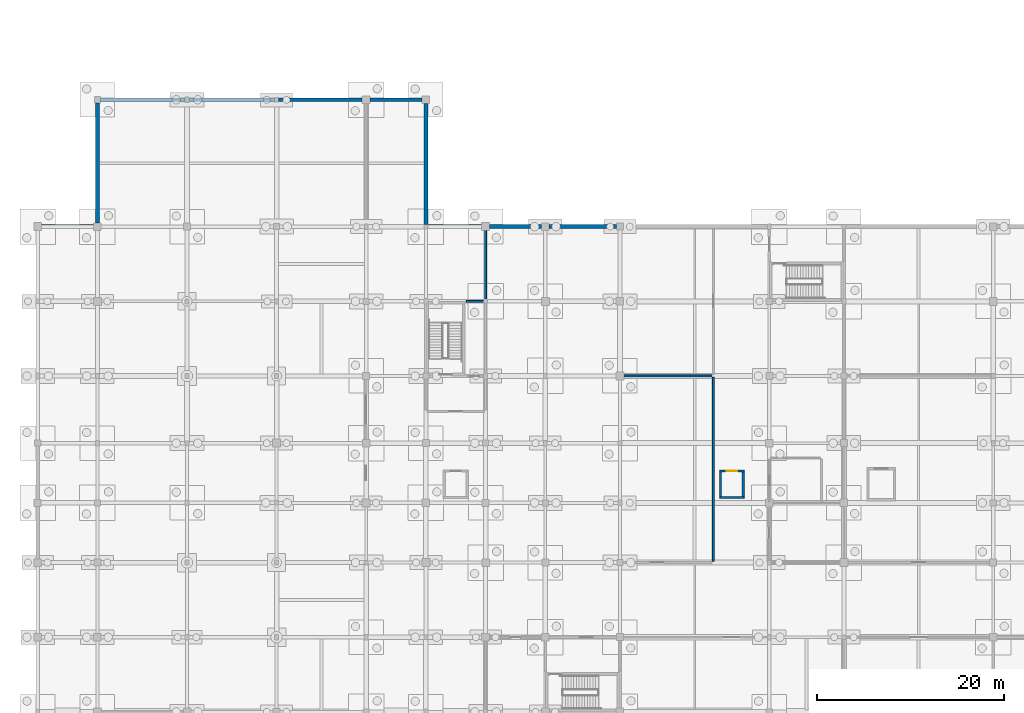
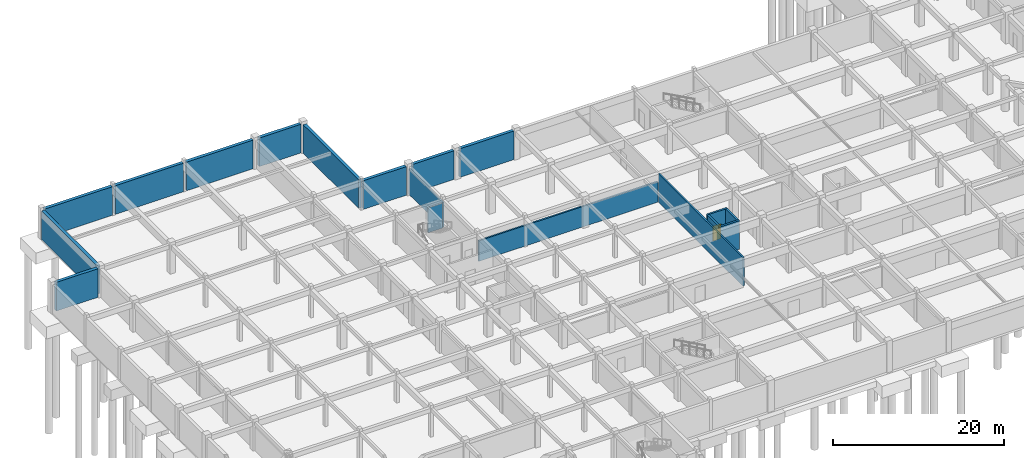
# One storey, part 21 of 28: 18 walls, 1 door, 1 opening.
"""IFC4 building model written with IfcOpenShell, lengths in metres."""

from ifc_helpers import new_model, si_unit, direction, frame, frame_2d, origin, place, context, subcontext, project, spatial, rectangle, extrude, material, layer, layer_set, type_object, element, fill, save


model = new_model("IFC4")

# Units and contexts
model_context = context("Model", 3, precision=1e-05, world=origin(), true_north=direction((0.0, 1.0)))
body_context = subcontext(model_context, "Body", "Model", "MODEL_VIEW")
ifc_project = project(units=[si_unit("LENGTHUNIT", "METRE"), si_unit("AREAUNIT", "SQUARE_METRE"), si_unit("VOLUMEUNIT", "CUBIC_METRE"), si_unit("PLANEANGLEUNIT", "RADIAN"), si_unit("MASSUNIT", "GRAM", prefix="KILO")], contexts=[model_context])

# Site, building, storey
site_placement = place(None, origin())
site = spatial("IfcSite", under=ifc_project, at=site_placement, CompositionType="ELEMENT")
building_placement = place(site_placement, origin())
building = spatial("IfcBuilding", under=site, at=building_placement, Name="Vellmiral Cinema and Media Centre", CompositionType="ELEMENT")
storey_placement = place(building_placement, frame((0.0, 0.0, -4.5)))
storey = spatial("IfcBuildingStorey", under=building, at=storey_placement, Name="B1", CompositionType="ELEMENT", Elevation=-4.5)

# Walls
ifc_material_1 = material(Name="Concrete C30/37", Category="concrete")
ifc_layer_1 = layer(ifc_material_1, 0.419921875, Name="Concrete C30/37")
ifc_layer_set_1 = layer_set([ifc_layer_1], Name="Concrete C30/37")
wall_type_1 = type_object("IfcWallType", Name="WL-B1-RET-420", PredefinedType="SOLIDWALL", material=ifc_layer_set_1)
wall_1_placement = place(storey_placement, frame((62.02490234375, 95.199951171875, 0.0), z_axis=(0.0, 0.0, 1.0), x_axis=(-1.0, 0.0, 0.0)))
element("IfcWall", 1, at=wall_1_placement, inside=storey, type_object=wall_type_1, Name="Basement Retaining Wall B1-059", PredefinedType="SOLIDWALL", context=body_context, shape_type="SweptSolid", body=[
    extrude(rectangle(XDim=7.224853515625, YDim=0.419921875, at=frame_2d((3.6123046875, 0.0))), origin(), (0.0, 0.0, 1.0), 4.080078125),
])
wall_2_placement = place(storey_placement, frame((54.0, 95.199951171875, 0.0), z_axis=(0.0, 0.0, 1.0), x_axis=(-1.0, 0.0, 0.0)))
element("IfcWall", 2, at=wall_2_placement, inside=storey, type_object=wall_type_1, Name="Basement Retaining Wall B1-060", PredefinedType="SOLIDWALL", context=body_context, shape_type="SweptSolid", body=[
    extrude(rectangle(XDim=5.574951171875, YDim=0.419921875, at=frame_2d((2.78759765625, 0.0))), origin(), (0.0, 0.0, 1.0), 4.080078125),
])
wall_3_placement = place(storey_placement, frame((47.574951171875, 95.199951171875, 0.0), z_axis=(0.0, 0.0, 1.0), x_axis=(-1.0, 0.0, 0.0)))
element("IfcWall", 3, at=wall_3_placement, inside=storey, type_object=wall_type_1, Name="Basement Retaining Wall B1-061", PredefinedType="SOLIDWALL", context=body_context, shape_type="SweptSolid", body=[
    extrude(rectangle(XDim=5.77490234375, YDim=0.419921875, at=frame_2d((2.887451171875, 0.0))), origin(), (0.0, 0.0, 1.0), 4.080078125),
])
wall_4_placement = place(storey_placement, frame((41.60009765625, 95.449951171875, 0.0), z_axis=(0.0, 0.0, 1.0), x_axis=(0.0, 1.0, 0.0)))
element("IfcWall", 4, at=wall_4_placement, inside=storey, type_object=wall_type_1, Name="Basement Retaining Wall B1-062", PredefinedType="SOLIDWALL", context=body_context, shape_type="SweptSolid", body=[
    extrude(rectangle(XDim=12.949951171875, YDim=0.419921875, at=frame_2d((6.47509765625, 0.0))), origin(), (0.0, 0.0, 1.0), 4.080078125),
])
wall_5_placement = place(storey_placement, frame((41.199951171875, 108.800048828125, 0.0), z_axis=(0.0, 0.0, 1.0), x_axis=(-1.0, 0.0, 0.0)))
element("IfcWall", 5, at=wall_5_placement, inside=storey, type_object=wall_type_1, Name="Basement Retaining Wall B1-063", PredefinedType="SOLIDWALL", context=body_context, shape_type="SweptSolid", body=[
    extrude(rectangle(XDim=5.574951171875, YDim=0.419921875, at=frame_2d((2.78759765625, 0.0))), origin(), (0.0, 0.0, 1.0), 4.080078125),
])
wall_6_placement = place(storey_placement, frame((34.77490234375, 108.800048828125, 0.0), z_axis=(0.0, 0.0, 1.0), x_axis=(-1.0, 0.0, 0.0)))
element("IfcWall", 6, at=wall_6_placement, inside=storey, type_object=wall_type_1, Name="Basement Retaining Wall B1-064", PredefinedType="SOLIDWALL", context=body_context, shape_type="SweptSolid", body=[
    extrude(rectangle(XDim=8.974853515625, YDim=0.419921875, at=frame_2d((4.4873046875, 0.0))), origin(), (0.0, 0.0, 1.0), 4.080078125),
])
wall_7_placement = place(storey_placement, frame((25.39990234375, 108.800048828125, 0.0), z_axis=(0.0, 0.0, 1.0), x_axis=(-1.0, 0.0, 0.0)))
element("IfcWall", 7, at=wall_7_placement, inside=storey, type_object=wall_type_1, Name="Basement Retaining Wall B1-065", PredefinedType="SOLIDWALL", context=body_context, shape_type="SweptSolid", body=[
    extrude(rectangle(XDim=9.199951171875, YDim=0.419921875, at=frame_2d((4.60009765625, 0.0))), origin(), (0.0, 0.0, 1.0), 4.080078125),
])
wall_8_placement = place(storey_placement, frame((15.800048828125, 108.800048828125, 0.0), z_axis=(0.0, 0.0, 1.0), x_axis=(-1.0, 0.0, 0.0)))
element("IfcWall", 8, at=wall_8_placement, inside=storey, type_object=wall_type_1, Name="Basement Retaining Wall B1-066", PredefinedType="SOLIDWALL", context=body_context, shape_type="SweptSolid", body=[
    extrude(rectangle(XDim=9.074951171875, YDim=0.419921875, at=frame_2d((4.53759765625, 0.0))), origin(), (0.0, 0.0, 1.0), 4.080078125),
])
wall_9_placement = place(storey_placement, frame((6.39990234375, 108.47509765625, 0.0), z_axis=(0.0, 0.0, 1.0), x_axis=(0.0, -1.0, 0.0)))
element("IfcWall", 9, at=wall_9_placement, inside=storey, type_object=wall_type_1, Name="Basement Retaining Wall B1-067", PredefinedType="SOLIDWALL", context=body_context, shape_type="SweptSolid", body=[
    extrude(rectangle(XDim=12.875, YDim=0.419921875, at=frame_2d((6.4375, 0.0))), origin(), (0.0, 0.0, 1.0), 4.080078125),
])
wall_10_placement = place(storey_placement, frame((6.0, 95.199951171875, 0.0), z_axis=(0.0, 0.0, 1.0), x_axis=(-1.0, 0.0, 0.0)))
element("IfcWall", 10, at=wall_10_placement, inside=storey, type_object=wall_type_1, Name="Basement Retaining Wall B1-068", PredefinedType="SOLIDWALL", context=body_context, shape_type="SweptSolid", body=[
    extrude(rectangle(XDim=5.574951171875, YDim=0.419921875, at=frame_2d((2.78759765625, 0.0))), origin(), (0.0, 0.0, 1.0), 4.080078125),
])
ifc_material_2 = material(Name="Concrete C40/50", Category="concrete")
ifc_layer_2 = layer(ifc_material_2, 0.2099609375, Name="Concrete C40/50")
ifc_layer_set_2 = layer_set([ifc_layer_2], Name="Concrete C40/50")
wall_type_2 = type_object("IfcWallType", Name="WL-COMP-210", PredefinedType="SOLIDWALL", material=ifc_layer_set_2)
wall_11_placement = place(storey_placement, frame((45.93994140625, 87.199951171875, 0.0), z_axis=(0.0, 0.0, 1.0), x_axis=(1.0, 0.0, 0.0)))
element("IfcWall", 11, at=wall_11_placement, inside=storey, type_object=wall_type_2, Name="North-West Core Smoke Riser Room Wall N", PredefinedType="SOLIDWALL", context=body_context, shape_type="SweptSolid", body=[
    extrude(rectangle(XDim=1.920166015625, YDim=0.2099609375, at=frame_2d((0.9599609375, 0.0))), origin(), (0.0, 0.0, 1.0), 3.52490234375),
])
wall_12_placement = place(storey_placement, frame((48.139892578125, 79.199951171875, 0.0), z_axis=(0.0, 0.0, 1.0), x_axis=(1.0, 0.0, 0.0)))
element("IfcWall", 12, at=wall_12_placement, inside=storey, type_object=wall_type_2, Name="Climate-Controlled Film Archive Vault Wall N", PredefinedType="SOLIDWALL", context=body_context, shape_type="SweptSolid", body=[
    extrude(rectangle(XDim=24.1201171875, YDim=0.2099609375, at=frame_2d((12.06005859375, 0.0))), origin(), (0.0, 0.0, 1.0), 2.925048828125),
])
wall_13_placement = place(storey_placement, frame((72.39990234375, 59.340087890625, 0.0), z_axis=(0.0, 0.0, 1.0), x_axis=(0.0, 1.0, 0.0)))
element("IfcWall", 13, at=wall_13_placement, inside=storey, type_object=wall_type_2, Name="Climate-Controlled Film Archive Vault Wall E", PredefinedType="SOLIDWALL", context=body_context, shape_type="SweptSolid", body=[
    extrude(rectangle(XDim=19.719970703125, YDim=0.2099609375, at=frame_2d((9.85986328125, 0.0))), origin(), (0.0, 0.0, 1.0), 4.080078125),
])
wall_14_placement = place(storey_placement, frame((48.0, 87.199951171875, 0.0), z_axis=(0.0, 0.0, 1.0), x_axis=(0.0, 1.0, 0.0)))
element("IfcWall", 14, at=wall_14_placement, inside=storey, type_object=wall_type_2, Name="Compact Mobile Archive Shelving Room Wall W", PredefinedType="SOLIDWALL", context=body_context, shape_type="SweptSolid", body=[
    extrude(rectangle(XDim=7.89501953125, YDim=0.2099609375, at=frame_2d((3.947509765625, 0.0))), origin(), (0.0, 0.0, 1.0), 3.574951171875),
])
ifc_material_3 = material(Name="Concrete C40/50", Category="concrete")
ifc_layer_3 = layer(ifc_material_3, 0.25, Name="Concrete C40/50")
ifc_layer_set_3 = layer_set([ifc_layer_3], Name="Concrete C40/50")
wall_type_3 = type_object("IfcWallType", Name="WL-SHAFT-250", PredefinedType="SHEAR", material=ifc_layer_set_3)
wall_15_placement = place(storey_placement, frame((73.050048828125, 66.175048828125, 0.0), z_axis=(0.0, 0.0, 1.0), x_axis=(1.0, 0.0, 0.0)))
element("IfcWall", 15, at=wall_15_placement, inside=storey, type_object=wall_type_3, Name="Lift Shaft Wall LF-C2 B1-S", PredefinedType="SHEAR", context=body_context, shape_type="SweptSolid", body=[
    extrude(rectangle(XDim=2.699951171875, YDim=0.25, at=frame_2d((1.35009765625, 0.0))), origin(), (0.0, 0.0, 1.0), 4.080078125),
])

# Wall, opening, door
wall_16_placement = place(storey_placement, frame((73.050048828125, 69.02490234375, 0.0), z_axis=(0.0, 0.0, 1.0), x_axis=(1.0, 0.0, 0.0)))
wall_16 = element("IfcWall", 16, at=wall_16_placement, inside=storey, type_object=wall_type_3, Name="Lift Shaft Wall LF-C2 B1-N", PredefinedType="SHEAR", context=body_context, shape_type="SweptSolid", body=[
    extrude(rectangle(XDim=2.699951171875, YDim=0.25, at=frame_2d((1.35009765625, 0.0))), origin(), (0.0, 0.0, 1.0), 4.080078125),
])
opening_placement = place(wall_16_placement, frame((0.800048828125, 0.0, 0.0)))
opening = element("IfcOpeningElement", 17, at=opening_placement, cuts=wall_16, Name="Opening LD-01", PredefinedType="OPENING", context=body_context, shape_type="SweptSolid", body=[
    extrude(rectangle(XDim=1.10009765625, YDim=2.14990234375, at=frame_2d((0.550048828125, 1.074951171875))), frame((0.0, 0.136962890625, 0.0), z_axis=(0.0, -1.0, 0.0), x_axis=(1.0, 0.0, 0.0)), (0.0, 0.0, 1.0), 0.27392578125),
])
ifc_material_4 = material(Name="Stainless Steel Lift Landing Door", Category="steel")
door_type = type_object("IfcDoorType", Name="DR-LIFT-1100x2150", OperationType="SLIDING_TO_LEFT", PredefinedType="DOOR", material=ifc_material_4)
door_placement = place(opening_placement, origin())
door = element("IfcDoor", 18, at=door_placement, inside=storey, type_object=door_type, Name="Lift Landing Door LF-C2 B1", OperationType="SLIDING_TO_LEFT", OverallHeight=2.14990234375, OverallWidth=1.10009765625, PredefinedType="DOOR", context=body_context, shape_type="SweptSolid", body=[
    extrude(rectangle(XDim=1.10009765625, YDim=2.14990234375, at=frame_2d((0.550048828125, 1.074951171875))), frame((0.0, 0.02490234375, 0.0), z_axis=(0.0, -1.0, 0.0), x_axis=(1.0, 0.0, 0.0)), (0.0, 0.0, 1.0), 0.050048828125),
])
fill(opening, door)

# Walls
for number, where, z_axis, x_axis, name in (
    (19, (73.175048828125, 66.300048828125, 0.0), (0.0, 0.0, 1.0), (0.0, 1.0, 0.0), "Lift Shaft Wall LF-C2 B1-W"),
    (20, (75.625, 66.300048828125, 0.0), (0.0, 0.0, 1.0), (0.0, 1.0, 0.0), "Lift Shaft Wall LF-C2 B1-E"),
):
    element("IfcWall", number, at=place(storey_placement, frame(where, z_axis=z_axis, x_axis=x_axis)), inside=storey, type_object=wall_type_3, Name=name, PredefinedType="SHEAR", context=body_context, shape_type="SweptSolid", body=[
        extrude(rectangle(XDim=2.599853515625, YDim=0.25, at=frame_2d((1.2998046875, 0.0))), origin(), (0.0, 0.0, 1.0), 4.080078125),
    ])

save(model, "model.ifc")
